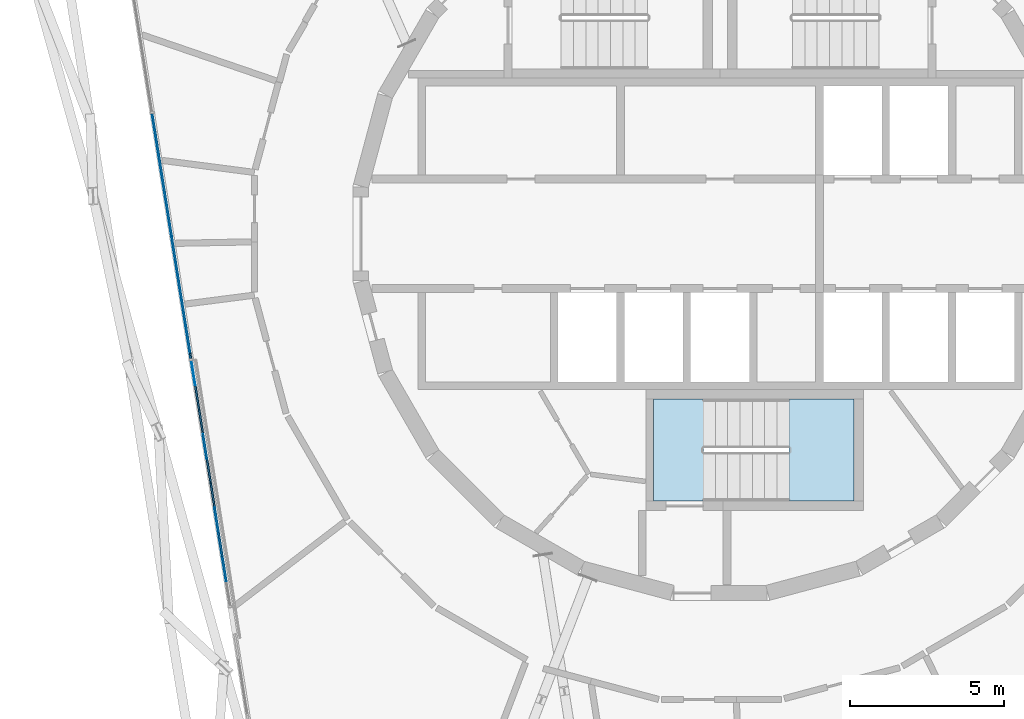
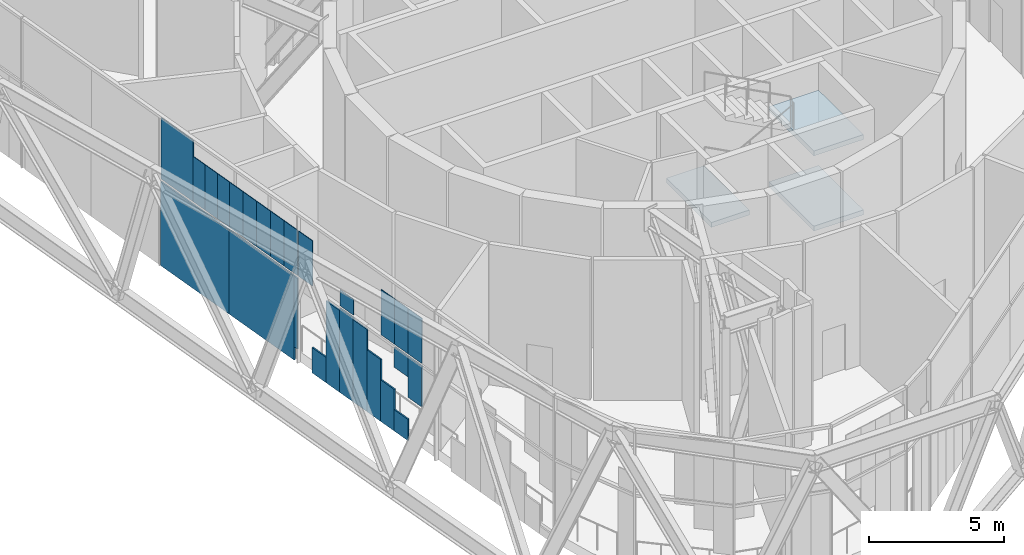
# One storey, part 11 of 25: 26 plates, 3 slabs, 2 elements without a shape of their own.
"""IFC4 building model written with IfcOpenShell, lengths in metres."""

from ifc_helpers import new_model, si_unit, direction, frame, origin, origin_2d, place, context, subcontext, project, spatial, polyline, rectangle, outline, extrude, material, layer, layer_set, type_object, element, aggregate, save


model = new_model("IFC4")

# Units and contexts
model_context = context("Model", 3, precision=1e-05, world=origin(), true_north=direction((0.0, 1.0)))
body_context = subcontext(model_context, "Body", "Model", "MODEL_VIEW")
ifc_project = project(units=[si_unit("LENGTHUNIT", "METRE"), si_unit("AREAUNIT", "SQUARE_METRE"), si_unit("VOLUMEUNIT", "CUBIC_METRE"), si_unit("PLANEANGLEUNIT", "RADIAN"), si_unit("MASSUNIT", "GRAM", prefix="KILO")], contexts=[model_context])

# Site, building, storey
site_placement = place(None, origin())
site = spatial("IfcSite", under=ifc_project, at=site_placement, CompositionType="ELEMENT")
building_placement = place(site_placement, origin())
building = spatial("IfcBuilding", under=site, at=building_placement, Name="Spindle Arch Residences", CompositionType="ELEMENT")
storey_placement = place(building_placement, frame((0.0, 0.0, 291.39990234375)))
storey = spatial("IfcBuildingStorey", under=building, at=storey_placement, Name="L75", CompositionType="ELEMENT", Elevation=291.39990234375)

# Stair, slabs
ifc_material_1 = material(Name="Concrete C50/60", Category="concrete")
stair_type = type_object("IfcStairType", Name="Exit stair 32 risers", PredefinedType="HALF_TURN_STAIR", material=ifc_material_1)
stair_placement = place(storey_placement, origin())
stair = element("IfcStair", 1, at=stair_placement, inside=storey, type_object=stair_type, Name="L75 Exit stair ST3", PredefinedType="HALF_TURN_STAIR")
ifc_material_2 = material(Name="Concrete C50/60", Category="concrete")
ifc_layer_1 = layer(ifc_material_2, 0.219970703125)
ifc_layer_set_1 = layer_set([ifc_layer_1], Name="Exit stair landing 220")
slab_type = type_object("IfcSlabType", Name="Exit stair landing 220", PredefinedType="LANDING", material=ifc_layer_set_1)
slab_1_placement = place(storey_placement, frame((0.0, 0.0, 1.47998046875)))
slab_1 = element("IfcSlab", 2, at=slab_1_placement, type_object=slab_type, Name="ST3 landing 1", PredefinedType="LANDING", context=body_context, shape_type="SweptSolid", body=[
    extrude(outline(polyline([(2.22998046875, -8.669921875), (4.35009765625, -8.669921875), (4.35009765625, -5.35009765625), (2.22998046875, -5.35009765625), (2.22998046875, -8.669921875)])), origin(), (0.0, 0.0, 1.0), 0.22021484375),
])
slab_2_placement = place(storey_placement, frame((0.0, 0.0, 3.18017578125)))
slab_2 = element("IfcSlab", 3, at=slab_2_placement, type_object=slab_type, Name="ST3 landing 2", PredefinedType="LANDING", context=body_context, shape_type="SweptSolid", body=[
    extrude(outline(polyline([(-2.14990234375, -8.669921875), (-0.530029296875, -8.669921875), (-0.530029296875, -5.35009765625), (-2.14990234375, -5.35009765625), (-2.14990234375, -8.669921875)])), origin(), (0.0, 0.0, 1.0), 0.219970703125),
])
slab_3_placement = place(storey_placement, frame((0.0, 0.0, 4.880126953125)))
slab_3 = element("IfcSlab", 4, at=slab_3_placement, type_object=slab_type, Name="ST3 landing 3", PredefinedType="LANDING", context=body_context, shape_type="SweptSolid", body=[
    extrude(outline(polyline([(2.22998046875, -8.669921875), (4.35009765625, -8.669921875), (4.35009765625, -5.35009765625), (2.22998046875, -5.35009765625), (2.22998046875, -8.669921875)])), origin(), (0.0, 0.0, 1.0), 0.219970703125),
])
aggregate(stair, [slab_1, slab_2, slab_3])

# Curtain wall, plates
ifc_material_3 = material(Name="Aluminium bronze unitised frame with tinted glass", Category="aluminium")
ifc_layer_2 = layer(ifc_material_3, 0.159912109375)
ifc_layer_set_2 = layer_set([ifc_layer_2], Name="CW-E double-height winter garden wall")
curtain_wall_type = type_object("IfcCurtainWallType", Name="CW-E double-height winter garden wall", PredefinedType="NOTDEFINED", material=ifc_layer_set_2)
curtain_wall_placement = place(storey_placement, origin())
curtain_wall = element("IfcCurtainWall", 5, at=curtain_wall_placement, inside=storey, type_object=curtain_wall_type, Name="CW-E L75 run 4", PredefinedType="NOTDEFINED")
ifc_material_4 = material(Name="Tinted laminated glass 28 mm", Category="glass")
ifc_layer_3 = layer(ifc_material_4, 0.028076171875)
ifc_layer_set_3 = layer_set([ifc_layer_3], Name="Tinted glass panel 28 mm")
plate_type_1 = type_object("IfcPlateType", Name="Tinted glass panel 28 mm", PredefinedType="CURTAIN_PANEL", material=ifc_layer_set_3)
plate_1_placement = place(storey_placement, frame((-18.263916015625, 2.95556640625, 3.460205078125), z_axis=(0.0, 0.0, 1.0), x_axis=(0.15643446504, -0.987688340595, 0.0)))
plate_1 = element("IfcPlate", 6, at=plate_1_placement, type_object=plate_type_1, Name="CW-E panel 12Ab.1", PredefinedType="CURTAIN_PANEL", context=body_context, shape_type="SweptSolid", body=[
    extrude(rectangle(XDim=1.900146484375, YDim=0.028076171875, at=origin_2d()), origin(), (0.0, 0.0, 1.0), 2.77001953125),
])
plate_2_placement = place(storey_placement, frame((-18.059814453125, 1.667724609375, 3.460205078125), z_axis=(0.0, 0.0, 1.0), x_axis=(0.15643446504, -0.987688340595, 0.0)))
plate_2 = element("IfcPlate", 7, at=plate_2_placement, type_object=plate_type_1, Name="CW-E panel 12Ab.2", PredefinedType="CURTAIN_PANEL", context=body_context, shape_type="SweptSolid", body=[
    extrude(rectangle(XDim=0.7080078125, YDim=0.028076171875, at=origin_2d()), origin(), (0.0, 0.0, 1.0), 2.0458984375),
])
plate_3_placement = place(storey_placement, frame((-17.948974609375, 0.968505859375, 3.460205078125), z_axis=(0.0, 0.0, 1.0), x_axis=(0.15643446504, -0.987688340595, 0.0)))
plate_3 = element("IfcPlate", 8, at=plate_3_placement, type_object=plate_type_1, Name="CW-E panel 12Ab.3", PredefinedType="CURTAIN_PANEL", context=body_context, shape_type="SweptSolid", body=[
    extrude(rectangle(XDim=0.7080078125, YDim=0.028076171875, at=origin_2d()), origin(), (0.0, 0.0, 1.0), 2.0458984375),
])
plate_4_placement = place(storey_placement, frame((-17.83837890625, 0.269287109375, 3.460205078125), z_axis=(0.0, 0.0, 1.0), x_axis=(0.15643446504, -0.987688340595, 0.0)))
plate_4 = element("IfcPlate", 9, at=plate_4_placement, type_object=plate_type_1, Name="CW-E panel 12Ab.4", PredefinedType="CURTAIN_PANEL", context=body_context, shape_type="SweptSolid", body=[
    extrude(rectangle(XDim=0.7080078125, YDim=0.028076171875, at=origin_2d()), origin(), (0.0, 0.0, 1.0), 2.0458984375),
])
plate_5_placement = place(storey_placement, frame((-17.719970703125, -0.477783203125, 3.460205078125), z_axis=(0.0, 0.0, 1.0), x_axis=(0.15643446504, -0.987688340595, 0.0)))
plate_5 = element("IfcPlate", 10, at=plate_5_placement, type_object=plate_type_1, Name="CW-E panel 12Bb.1", PredefinedType="CURTAIN_PANEL", context=body_context, shape_type="SweptSolid", body=[
    extrude(rectangle(XDim=0.8046875, YDim=0.028076171875, at=origin_2d()), origin(), (0.0, 0.0, 1.0), 2.0458984375),
])
plate_6_placement = place(storey_placement, frame((-17.59423828125, -1.272705078125, 3.460205078125), z_axis=(0.0, 0.0, 1.0), x_axis=(0.15643446504, -0.987688340595, 0.0)))
plate_6 = element("IfcPlate", 11, at=plate_6_placement, type_object=plate_type_1, Name="CW-E panel 12Bb.2", PredefinedType="CURTAIN_PANEL", context=body_context, shape_type="SweptSolid", body=[
    extrude(rectangle(XDim=0.8046875, YDim=0.028076171875, at=origin_2d()), origin(), (0.0, 0.0, 1.0), 2.0458984375),
])
plate_7_placement = place(storey_placement, frame((-17.46826171875, -2.0673828125, 3.460205078125), z_axis=(0.0, 0.0, 1.0), x_axis=(0.15643446504, -0.987688340595, 0.0)))
plate_7 = element("IfcPlate", 12, at=plate_7_placement, type_object=plate_type_1, Name="CW-E panel 12Bb.3", PredefinedType="CURTAIN_PANEL", context=body_context, shape_type="SweptSolid", body=[
    extrude(rectangle(XDim=0.8046875, YDim=0.028076171875, at=origin_2d()), origin(), (0.0, 0.0, 1.0), 2.0458984375),
])
plate_8_placement = place(storey_placement, frame((-17.34228515625, -2.8623046875, 3.460205078125), z_axis=(0.0, 0.0, 1.0), x_axis=(0.15643446504, -0.987688340595, 0.0)))
plate_8 = element("IfcPlate", 13, at=plate_8_placement, type_object=plate_type_1, Name="CW-E panel 12Bb.4", PredefinedType="CURTAIN_PANEL", context=body_context, shape_type="SweptSolid", body=[
    extrude(rectangle(XDim=0.8046875, YDim=0.028076171875, at=origin_2d()), origin(), (0.0, 0.0, 1.0), 2.0458984375),
])
plate_9_placement = place(storey_placement, frame((-17.216552734375, -3.6572265625, 3.460205078125), z_axis=(0.0, 0.0, 1.0), x_axis=(0.15643446504, -0.987688340595, 0.0)))
plate_9 = element("IfcPlate", 14, at=plate_9_placement, type_object=plate_type_1, Name="CW-E panel 12Bb.5", PredefinedType="CURTAIN_PANEL", context=body_context, shape_type="SweptSolid", body=[
    extrude(rectangle(XDim=0.8046875, YDim=0.028076171875, at=origin_2d()), origin(), (0.0, 0.0, 1.0), 2.0458984375),
])
plate_10_placement = place(storey_placement, frame((-17.081298828125, -4.51123046875, 3.460205078125), z_axis=(0.0, 0.0, 1.0), x_axis=(0.15643446504, -0.987688340595, 0.0)))
plate_10 = element("IfcPlate", 15, at=plate_10_placement, type_object=plate_type_1, Name="CW-E panel 13Ab.1", PredefinedType="CURTAIN_PANEL", context=body_context, shape_type="SweptSolid", body=[
    extrude(rectangle(XDim=0.8046875, YDim=0.028076171875, at=origin_2d()), origin(), (0.0, 0.0, 1.0), 2.0458984375),
])
plate_11_placement = place(storey_placement, frame((-16.70361328125, -6.895751953125, 3.460205078125), z_axis=(0.0, 0.0, 1.0), x_axis=(0.15643446504, -0.987688340595, 0.0)))
plate_11 = element("IfcPlate", 16, at=plate_11_placement, type_object=plate_type_1, Name="CW-E panel 13Ab.2", PredefinedType="CURTAIN_PANEL", context=body_context, shape_type="SweptSolid", body=[
    extrude(rectangle(XDim=0.8046875, YDim=0.028076171875, at=origin_2d()), origin(), (0.0, 0.0, 1.0), 0.72216796875),
])
plate_12_placement = place(storey_placement, frame((-16.325927734375, -9.2802734375, 3.460205078125), z_axis=(0.0, 0.0, 1.0), x_axis=(0.15643446504, -0.987688340595, 0.0)))
plate_12 = element("IfcPlate", 17, at=plate_12_placement, type_object=plate_type_1, Name="CW-E panel 13Bb.1", PredefinedType="CURTAIN_PANEL", context=body_context, shape_type="SweptSolid", body=[
    extrude(rectangle(XDim=0.8046875, YDim=0.028076171875, at=origin_2d()), origin(), (0.0, 0.0, 1.0), 2.0458984375),
])
plate_13_placement = place(storey_placement, frame((-16.199951171875, -10.0751953125, 3.460205078125), z_axis=(0.0, 0.0, 1.0), x_axis=(0.15643446504, -0.987688340595, 0.0)))
plate_13 = element("IfcPlate", 18, at=plate_13_placement, type_object=plate_type_1, Name="CW-E panel 13Bb.2", PredefinedType="CURTAIN_PANEL", context=body_context, shape_type="SweptSolid", body=[
    extrude(rectangle(XDim=0.8046875, YDim=0.028076171875, at=origin_2d()), origin(), (0.0, 0.0, 1.0), 2.0458984375),
])
plate_14_placement = place(storey_placement, frame((-16.073974609375, -10.8701171875, 3.460205078125), z_axis=(0.0, 0.0, 1.0), x_axis=(0.15643446504, -0.987688340595, 0.0)))
plate_14 = element("IfcPlate", 19, at=plate_14_placement, type_object=plate_type_1, Name="CW-E panel 13Bb.3", PredefinedType="CURTAIN_PANEL", context=body_context, shape_type="SweptSolid", body=[
    extrude(rectangle(XDim=0.8046875, YDim=0.028076171875, at=origin_2d()), origin(), (0.0, 0.0, 1.0), 2.0458984375),
])
ifc_material_5 = material(Name="Tinted double glazing over aluminium faced non-combustible spandrel zone (K0)", Category="aluminium")
ifc_layer_4 = layer(ifc_material_5, 0.06005859375)
ifc_layer_set_4 = layer_set([ifc_layer_4], Name="Unitised glass panel with E 60 spandrel zone")
plate_type_2 = type_object("IfcPlateType", Name="Unitised glass panel with E 60 spandrel zone", PredefinedType="CURTAIN_PANEL", material=ifc_layer_set_4)
plate_15_placement = place(storey_placement, frame((-18.09765625, 1.90673828125, -0.449951171875), z_axis=(0.0, 0.0, 1.0), x_axis=(0.15643446504, -0.987688340595, 0.0)))
plate_15 = element("IfcPlate", 20, at=plate_15_placement, type_object=plate_type_2, Name="CW-E unit 12Aa", PredefinedType="CURTAIN_PANEL", context=body_context, shape_type="SweptSolid", body=[
    extrude(rectangle(XDim=4.023681640625, YDim=0.06005859375, at=origin_2d()), origin(), (0.0, 0.0, 1.0), 3.7900390625),
])
plate_16_placement = place(storey_placement, frame((-17.48291015625, -1.974853515625, -0.449951171875), z_axis=(0.0, 0.0, 1.0), x_axis=(0.15643446504, -0.987688340595, 0.0)))
plate_16 = element("IfcPlate", 21, at=plate_16_placement, type_object=plate_type_2, Name="CW-E panel 12Ba.1", PredefinedType="CURTAIN_PANEL", context=body_context, shape_type="SweptSolid", body=[
    extrude(rectangle(XDim=3.836181640625, YDim=0.06005859375, at=origin_2d()), origin(), (0.0, 0.0, 1.0), 3.7900390625),
])
plate_17_placement = place(storey_placement, frame((-17.168212890625, -3.9619140625, 0.1455078125), z_axis=(0.0, 0.0, 1.0), x_axis=(0.15643446504, -0.987688340595, 0.0)))
plate_17 = element("IfcPlate", 22, at=plate_17_placement, type_object=plate_type_2, Name="CW-E panel 12Ba.2", PredefinedType="CURTAIN_PANEL", context=body_context, shape_type="SweptSolid", body=[
    extrude(rectangle(XDim=0.187744140625, YDim=0.06005859375, at=origin_2d()), origin(), (0.0, 0.0, 1.0), 3.194580078125),
])
plate_18_placement = place(storey_placement, frame((-16.955322265625, -5.30615234375, -0.449951171875), z_axis=(0.0, 0.0, 1.0), x_axis=(0.15643446504, -0.987688340595, 0.0)))
plate_18 = element("IfcPlate", 23, at=plate_18_placement, type_object=plate_type_2, Name="CW-E panel 13Aa.2", PredefinedType="CURTAIN_PANEL", context=body_context, shape_type="SweptSolid", body=[
    extrude(rectangle(XDim=0.8046875, YDim=0.06005859375, at=origin_2d()), origin(), (0.0, 0.0, 1.0), 1.1435546875),
])
plate_19_placement = place(storey_placement, frame((-16.829345703125, -6.10107421875, -0.449951171875), z_axis=(0.0, 0.0, 1.0), x_axis=(0.15643446504, -0.987688340595, 0.0)))
plate_19 = element("IfcPlate", 24, at=plate_19_placement, type_object=plate_type_2, Name="CW-E panel 13Aa.3", PredefinedType="CURTAIN_PANEL", context=body_context, shape_type="SweptSolid", body=[
    extrude(rectangle(XDim=0.8046875, YDim=0.06005859375, at=origin_2d()), origin(), (0.0, 0.0, 1.0), 3.6962890625),
])
plate_20_placement = place(storey_placement, frame((-16.70361328125, -6.895751953125, -0.449951171875), z_axis=(0.0, 0.0, 1.0), x_axis=(0.15643446504, -0.987688340595, 0.0)))
plate_20 = element("IfcPlate", 25, at=plate_20_placement, type_object=plate_type_2, Name="CW-E panel 13Aa.4", PredefinedType="CURTAIN_PANEL", context=body_context, shape_type="SweptSolid", body=[
    extrude(rectangle(XDim=0.8046875, YDim=0.06005859375, at=origin_2d()), origin(), (0.0, 0.0, 1.0), 3.7900390625),
])
plate_21_placement = place(storey_placement, frame((-16.57763671875, -7.690673828125, -0.44970703125), z_axis=(0.0, 0.0, 1.0), x_axis=(0.15643446504, -0.987688340595, 0.0)))
plate_21 = element("IfcPlate", 26, at=plate_21_placement, type_object=plate_type_2, Name="CW-E panel 13Aa.5", PredefinedType="CURTAIN_PANEL", context=body_context, shape_type="SweptSolid", body=[
    extrude(rectangle(XDim=0.8046875, YDim=0.06005859375, at=origin_2d()), origin(), (0.0, 0.0, 1.0), 3.714599609375),
])
plate_22_placement = place(storey_placement, frame((-16.45166015625, -8.485595703125, -0.4501953125), z_axis=(0.0, 0.0, 1.0), x_axis=(0.15643446504, -0.987688340595, 0.0)))
plate_22 = element("IfcPlate", 27, at=plate_22_placement, type_object=plate_type_2, Name="CW-E panel 13Ba.1", PredefinedType="CURTAIN_PANEL", context=body_context, shape_type="SweptSolid", body=[
    extrude(rectangle(XDim=0.8046875, YDim=0.06005859375, at=origin_2d()), origin(), (0.0, 0.0, 1.0), 2.797119140625),
])
plate_23_placement = place(storey_placement, frame((-16.325927734375, -9.2802734375, -0.449951171875), z_axis=(0.0, 0.0, 1.0), x_axis=(0.15643446504, -0.987688340595, 0.0)))
plate_23 = element("IfcPlate", 28, at=plate_23_placement, type_object=plate_type_2, Name="CW-E panel 13Ba.2", PredefinedType="CURTAIN_PANEL", context=body_context, shape_type="SweptSolid", body=[
    extrude(rectangle(XDim=0.8046875, YDim=0.06005859375, at=origin_2d()), origin(), (0.0, 0.0, 1.0), 1.87939453125),
])
plate_24_placement = place(storey_placement, frame((-16.199951171875, -10.0751953125, -0.449951171875), z_axis=(0.0, 0.0, 1.0), x_axis=(0.15643446504, -0.987688340595, 0.0)))
plate_24 = element("IfcPlate", 29, at=plate_24_placement, type_object=plate_type_2, Name="CW-E panel 13Ba.3", PredefinedType="CURTAIN_PANEL", context=body_context, shape_type="SweptSolid", body=[
    extrude(rectangle(XDim=0.8046875, YDim=0.06005859375, at=origin_2d()), origin(), (0.0, 0.0, 1.0), 0.9619140625),
])
plate_25_placement = place(storey_placement, frame((-16.199951171875, -10.0751953125, 2.430419921875), z_axis=(0.0, 0.0, 1.0), x_axis=(0.15643446504, -0.987688340595, 0.0)))
plate_25 = element("IfcPlate", 30, at=plate_25_placement, type_object=plate_type_2, Name="CW-E panel 13Ba.4", PredefinedType="CURTAIN_PANEL", context=body_context, shape_type="SweptSolid", body=[
    extrude(rectangle(XDim=0.8046875, YDim=0.06005859375, at=origin_2d()), origin(), (0.0, 0.0, 1.0), 0.90966796875),
])
plate_26_placement = place(storey_placement, frame((-16.073974609375, -10.8701171875, 1.512939453125), z_axis=(0.0, 0.0, 1.0), x_axis=(0.15643446504, -0.987688340595, 0.0)))
plate_26 = element("IfcPlate", 31, at=plate_26_placement, type_object=plate_type_2, Name="CW-E panel 13Ba.5", PredefinedType="CURTAIN_PANEL", context=body_context, shape_type="SweptSolid", body=[
    extrude(rectangle(XDim=0.8046875, YDim=0.06005859375, at=origin_2d()), origin(), (0.0, 0.0, 1.0), 1.8271484375),
])
aggregate(curtain_wall, [plate_15, plate_1, plate_2, plate_3, plate_4, plate_16, plate_17, plate_5, plate_6, plate_7, plate_8, plate_9, plate_18, plate_19, plate_20, plate_21, plate_10, plate_11, plate_22, plate_23, plate_24, plate_25, plate_26, plate_12, plate_13, plate_14])

save(model, "model.ifc")
